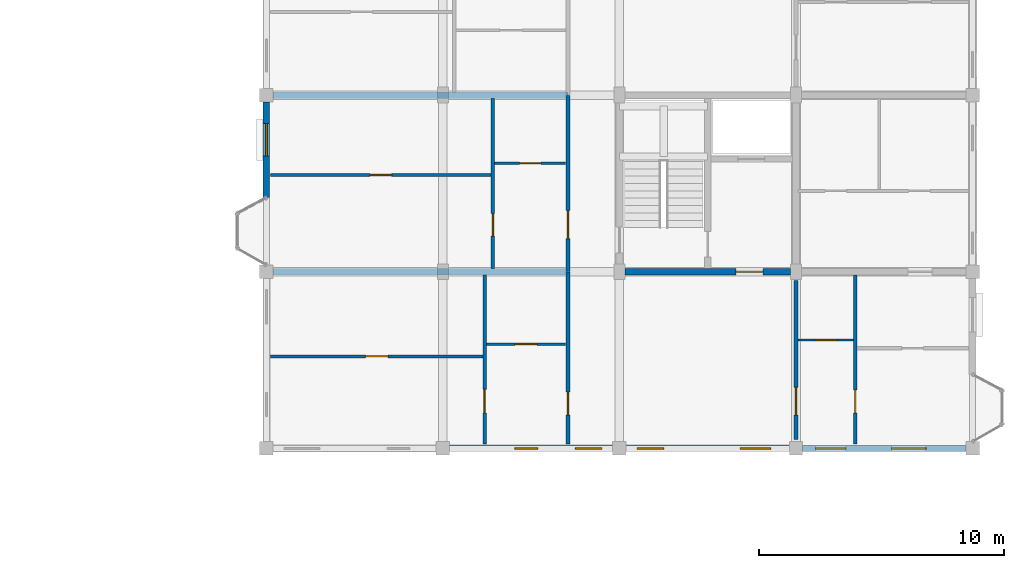
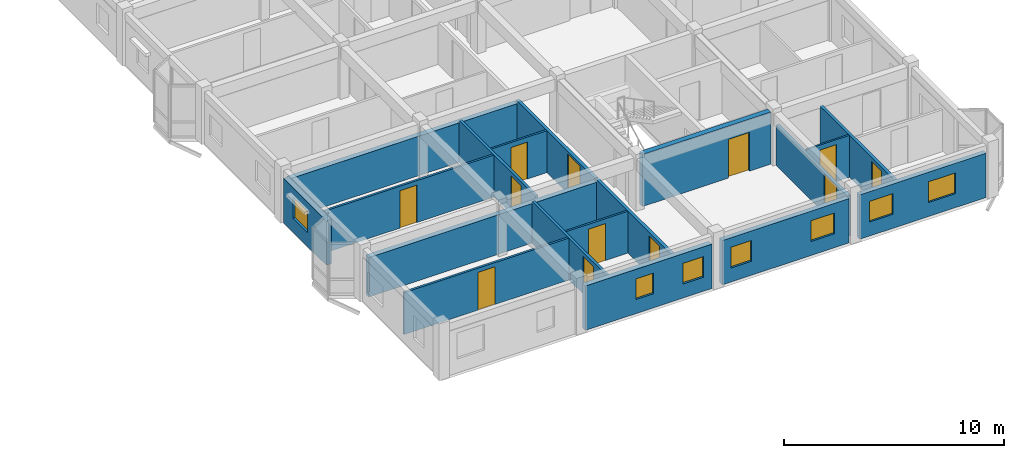
# One storey, part 60 of 77: 18 walls, 12 doors, 7 windows, 19 openings.
"""IFC4 building model written with IfcOpenShell, lengths in metres."""

from ifc_helpers import new_model, si_unit, direction, frame, frame_2d, origin, place, context, subcontext, project, spatial, rectangle, extrude, material, layer, layer_set, type_object, element, fill, save


model = new_model("IFC4")

# Units and contexts
model_context = context("Model", 3, precision=1e-05, world=origin(), true_north=direction((0.0, 1.0)))
body_context = subcontext(model_context, "Body", "Model", "MODEL_VIEW")
ifc_project = project(units=[si_unit("LENGTHUNIT", "METRE"), si_unit("AREAUNIT", "SQUARE_METRE"), si_unit("VOLUMEUNIT", "CUBIC_METRE"), si_unit("PLANEANGLEUNIT", "RADIAN"), si_unit("MASSUNIT", "GRAM", prefix="KILO"), si_unit("THERMODYNAMICTEMPERATUREUNIT", "KELVIN"), si_unit("POWERUNIT", "WATT")], contexts=[model_context])

# Site, building, storey
site_placement = place(None, origin())
site = spatial("IfcSite", under=ifc_project, at=site_placement, CompositionType="ELEMENT")
building_placement = place(site_placement, origin())
building = spatial("IfcBuilding", under=site, at=building_placement, Name="Tavuni Mirador Residences", CompositionType="ELEMENT")
storey_placement = place(building_placement, frame((0.0, 0.0, 10.800048828125)))
storey = spatial("IfcBuildingStorey", under=building, at=storey_placement, Name="L03", CompositionType="ELEMENT", Elevation=10.800048828125)

# Wall, opening, door
ifc_material_1 = material(Name="Precast concrete C40/50", Category="concrete")
ifc_layer_1 = layer(ifc_material_1, 0.280029296875, Name="Precast concrete C40/50", Category="concrete")
ifc_layer_set_1 = layer_set([ifc_layer_1], Name="Precast concrete C40/50")
wall_type_1 = type_object("IfcWallType", Name="WT-COR280", PredefinedType="SHEAR", material=ifc_layer_set_1)
wall_1_placement = place(storey_placement, frame((104.625, 93.60009765625, 0.0), z_axis=(0.0, 0.0, 1.0), x_axis=(1.0, 0.0, 0.0)))
wall_1 = element("IfcWall", 1, at=wall_1_placement, inside=storey, type_object=wall_type_1, Name="CWALL-C7-L03-SS", PredefinedType="SHEAR", context=body_context, shape_type="SweptSolid", body=[
    extrude(rectangle(XDim=6.75, YDim=0.280029296875, at=frame_2d((3.375, 0.0))), origin(), (0.0, 0.0, 1.0), 2.889892578125),
])
opening_1_placement = place(wall_1_placement, frame((4.52490234375, 0.0, 0.0)))
opening_1 = element("IfcOpeningElement", 2, at=opening_1_placement, cuts=wall_1, Name="Opening D-02", PredefinedType="OPENING", context=body_context, shape_type="SweptSolid", body=[
    extrude(rectangle(XDim=1.10009765625, YDim=2.14990234375, at=frame_2d((0.550048828125, 1.074951171875))), frame((0.0, 0.14990234375, 0.0), z_axis=(0.0, -1.0, 0.0), x_axis=(1.0, 0.0, 0.0)), (0.0, 0.0, 1.0), 0.300048828125),
])
ifc_material_2 = material(Name="Solid core iroko timber", Category="wood")
door_type_1 = type_object("IfcDoorType", Name="DT-LOB1100", OperationType="NOTDEFINED", PredefinedType="DOOR", material=ifc_material_2)
door_1_placement = place(opening_1_placement, frame((1.10009765625, 0.0, 0.0), z_axis=(0.0, 0.0, 1.0), x_axis=(-1.0, 0.0, 0.0)))
door_1 = element("IfcDoor", 3, at=door_1_placement, inside=storey, type_object=door_type_1, Name="DR-2278", OperationType="SINGLE_SWING_RIGHT", OverallHeight=2.14990234375, OverallWidth=1.10009765625, PredefinedType="DOOR", context=body_context, shape_type="SweptSolid", body=[
    extrude(rectangle(XDim=1.10009765625, YDim=2.14990234375, at=frame_2d((0.550048828125, 1.074951171875))), frame((0.0, 0.02490234375, 0.0), z_axis=(0.0, -1.0, 0.0), x_axis=(1.0, 0.0, 0.0)), (0.0, 0.0, 1.0), 0.050048828125),
])
fill(opening_1, door_1)

ifc_layer_2 = layer(ifc_material_1, 0.1650390625, Name="Precast concrete C40/50", Category="concrete")
ifc_layer_set_2 = layer_set([ifc_layer_2], Name="Precast concrete C40/50")
wall_type_2 = type_object("IfcWallType", Name="WT-CORR165", PredefinedType="PARTITIONING", material=ifc_layer_set_2)
wall_2_placement = place(storey_placement, frame((102.300048828125, 86.574951171875, 0.0), z_axis=(0.0, 0.0, 1.0), x_axis=(0.0, 1.0, 0.0)))
wall_2 = element("IfcWall", 4, at=wall_2_placement, inside=storey, type_object=wall_type_2, Name="CORW-BLK-D-L03-0-00", PredefinedType="PARTITIONING", context=body_context, shape_type="SweptSolid", body=[
    extrude(rectangle(XDim=7.005126953125, YDim=0.1650390625, at=frame_2d((3.50244140625, 0.0))), origin(), (0.0, 0.0, 1.0), 2.324951171875),
])
opening_2_placement = place(wall_2_placement, frame((1.175048828125, 0.0, 0.0)))
opening_2 = element("IfcOpeningElement", 5, at=opening_2_placement, cuts=wall_2, Name="Opening D-19", PredefinedType="OPENING", context=body_context, shape_type="SweptSolid", body=[
    extrude(rectangle(XDim=0.93994140625, YDim=2.1201171875, at=frame_2d((0.469970703125, 1.06005859375))), frame((0.0, 0.092529296875, 0.0), z_axis=(0.0, -1.0, 0.0), x_axis=(1.0, 0.0, 0.0)), (0.0, 0.0, 1.0), 0.18505859375),
])
door_type_2 = type_object("IfcDoorType", Name="DT-FD60-940", OperationType="NOTDEFINED", PredefinedType="DOOR", material=ifc_material_2)
door_2_placement = place(opening_2_placement, origin())
door_2 = element("IfcDoor", 6, at=door_2_placement, inside=storey, type_object=door_type_2, Name="DR-2845", OperationType="SINGLE_SWING_RIGHT", OverallHeight=2.1201171875, OverallWidth=0.93994140625, PredefinedType="DOOR", context=body_context, shape_type="SweptSolid", body=[
    extrude(rectangle(XDim=0.93994140625, YDim=2.1201171875, at=frame_2d((0.469970703125, 1.06005859375))), frame((0.0, 0.02490234375, 0.0), z_axis=(0.0, -1.0, 0.0), x_axis=(1.0, 0.0, 0.0)), (0.0, 0.0, 1.0), 0.050048828125),
])
fill(opening_2, door_2)

wall_3_placement = place(storey_placement, frame((102.300048828125, 93.6201171875, 0.0), z_axis=(0.0, 0.0, 1.0), x_axis=(0.0, 1.0, 0.0)))
wall_3 = element("IfcWall", 7, at=wall_3_placement, inside=storey, type_object=wall_type_2, Name="CORW-BLK-D-L03-0-01", PredefinedType="PARTITIONING", context=body_context, shape_type="SweptSolid", body=[
    extrude(rectangle(XDim=7.159912109375, YDim=0.1650390625, at=frame_2d((3.580078125, 0.0))), origin(), (0.0, 0.0, 1.0), 2.324951171875),
])
opening_3_placement = place(wall_3_placement, frame((1.330078125, 0.0, 0.0)))
opening_3 = element("IfcOpeningElement", 8, at=opening_3_placement, cuts=wall_3, Name="Opening D-20", PredefinedType="OPENING", context=body_context, shape_type="SweptSolid", body=[
    extrude(rectangle(XDim=1.139892578125, YDim=2.179931640625, at=frame_2d((0.56982421875, 1.08984375))), frame((0.0, 0.092529296875, 0.0), z_axis=(0.0, -1.0, 0.0), x_axis=(1.0, 0.0, 0.0)), (0.0, 0.0, 1.0), 0.18505859375),
])
door_type_3 = type_object("IfcDoorType", Name="DT-FD60-1140", OperationType="NOTDEFINED", PredefinedType="DOOR", material=ifc_material_2)
door_3_placement = place(opening_3_placement, origin())
door_3 = element("IfcDoor", 9, at=door_3_placement, inside=storey, type_object=door_type_3, Name="DR-2846", OperationType="SINGLE_SWING_LEFT", OverallHeight=2.179931640625, OverallWidth=1.139892578125, PredefinedType="DOOR", context=body_context, shape_type="SweptSolid", body=[
    extrude(rectangle(XDim=1.139892578125, YDim=2.179931640625, at=frame_2d((0.56982421875, 1.08984375))), frame((0.0, 0.02490234375, 0.0), z_axis=(0.0, -1.0, 0.0), x_axis=(1.0, 0.0, 0.0)), (0.0, 0.0, 1.0), 0.050048828125),
])
fill(opening_3, door_3)

wall_4_placement = place(storey_placement, frame((111.60009765625, 86.75, 0.0), z_axis=(0.0, 0.0, 1.0), x_axis=(0.0, 1.0, 0.0)))
wall_4 = element("IfcWall", 10, at=wall_4_placement, inside=storey, type_object=wall_type_2, Name="CORW-BLK-D-L03-1-00", PredefinedType="PARTITIONING", context=body_context, shape_type="SweptSolid", body=[
    extrude(rectangle(XDim=6.5, YDim=0.1650390625, at=frame_2d((3.25, 0.0))), origin(), (0.0, 0.0, 1.0), 2.239990234375),
])
opening_4_placement = place(wall_4_placement, frame((1.0, 0.0, 0.0)))
opening_4 = element("IfcOpeningElement", 11, at=opening_4_placement, cuts=wall_4, Name="Opening D-20", PredefinedType="OPENING", context=body_context, shape_type="SweptSolid", body=[
    extrude(rectangle(XDim=1.139892578125, YDim=2.179931640625, at=frame_2d((0.56982421875, 1.08984375))), frame((0.0, 0.092529296875, 0.0), z_axis=(0.0, -1.0, 0.0), x_axis=(1.0, 0.0, 0.0)), (0.0, 0.0, 1.0), 0.18505859375),
])
door_4_placement = place(opening_4_placement, origin())
door_4 = element("IfcDoor", 12, at=door_4_placement, inside=storey, type_object=door_type_3, Name="DR-2852", OperationType="SINGLE_SWING_LEFT", OverallHeight=2.179931640625, OverallWidth=1.139892578125, PredefinedType="DOOR", context=body_context, shape_type="SweptSolid", body=[
    extrude(rectangle(XDim=1.139892578125, YDim=2.179931640625, at=frame_2d((0.56982421875, 1.08984375))), frame((0.0, 0.02490234375, 0.0), z_axis=(0.0, -1.0, 0.0), x_axis=(1.0, 0.0, 0.0)), (0.0, 0.0, 1.0), 0.050048828125),
])
fill(opening_4, door_4)

# Wall, openings, windows
ifc_material_3 = material(Name="Sgraffito lime-rendered precast concrete C40/50", Category="concrete")
ifc_layer_3 = layer(ifc_material_3, 0.2451171875, Name="Sgraffito lime-rendered precast concrete C40/50", Category="concrete")
ifc_layer_set_3 = layer_set([ifc_layer_3], Name="Sgraffito lime-rendered precast concrete C40/50")
wall_type_3 = type_object("IfcWallType", Name="WT-EXT-PC245", PredefinedType="SOLIDWALL", material=ifc_layer_set_3)
wall_5_placement = place(storey_placement, frame((111.875, 86.39990234375, 0.0), z_axis=(0.0, 0.0, 1.0), x_axis=(1.0, 0.0, 0.0)))
wall_5 = element("IfcWall", 13, at=wall_5_placement, inside=storey, type_object=wall_type_3, Name="EW-BLK-D-L03-S03", PredefinedType="SOLIDWALL", context=body_context, shape_type="SweptSolid", body=[
    extrude(rectangle(XDim=6.64990234375, YDim=0.2451171875, at=frame_2d((3.324951171875, 0.0))), origin(), (0.0, 0.0, 1.0), 2.4599609375),
])
opening_5_placement = place(wall_5_placement, frame((0.5224609375, 0.0, 0.780029296875)))
opening_5 = element("IfcOpeningElement", 14, at=opening_5_placement, cuts=wall_5, Name="Opening WN-06", PredefinedType="OPENING", context=body_context, shape_type="SweptSolid", body=[
    extrude(rectangle(XDim=1.239990234375, YDim=1.14990234375, at=frame_2d((0.6201171875, 0.574951171875))), frame((0.0, 0.132568359375, 0.0), z_axis=(0.0, -1.0, 0.0), x_axis=(1.0, 0.0, 0.0)), (0.0, 0.0, 1.0), 0.26513671875),
])
opening_6_placement = place(wall_5_placement, frame((3.62744140625, 0.0, 0.780029296875)))
opening_6 = element("IfcOpeningElement", 15, at=opening_6_placement, cuts=wall_5, Name="Opening WN-08", PredefinedType="OPENING", context=body_context, shape_type="SweptSolid", body=[
    extrude(rectangle(XDim=1.39990234375, YDim=1.14990234375, at=frame_2d((0.699951171875, 0.574951171875))), frame((0.0, 0.132568359375, 0.0), z_axis=(0.0, -1.0, 0.0), x_axis=(1.0, 0.0, 0.0)), (0.0, 0.0, 1.0), 0.26513671875),
])
ifc_material_4 = material(Name="Laminated solar-control glass", Category="glass")
window_type_1 = type_object("IfcWindowType", Name="WNT-06", PartitioningType="SINGLE_PANEL", PredefinedType="WINDOW", material=ifc_material_4)
window_1_placement = place(opening_5_placement, origin())
window_1 = element("IfcWindow", 16, at=window_1_placement, inside=storey, type_object=window_type_1, Name="WIN-1532", OverallHeight=1.14990234375, OverallWidth=1.239990234375, PartitioningType="SINGLE_PANEL", PredefinedType="WINDOW", context=body_context, shape_type="SweptSolid", body=[
    extrude(rectangle(XDim=1.239990234375, YDim=1.14990234375, at=frame_2d((0.6201171875, 0.574951171875))), frame((0.0, 0.030029296875, 0.0), z_axis=(0.0, -1.0, 0.0), x_axis=(1.0, 0.0, 0.0)), (0.0, 0.0, 1.0), 0.06005859375),
])
fill(opening_5, window_1)
window_type_2 = type_object("IfcWindowType", Name="WNT-08", PartitioningType="SINGLE_PANEL", PredefinedType="WINDOW", material=ifc_material_4)
window_2_placement = place(opening_6_placement, origin())
window_2 = element("IfcWindow", 17, at=window_2_placement, inside=storey, type_object=window_type_2, Name="WIN-1533", OverallHeight=1.14990234375, OverallWidth=1.39990234375, PartitioningType="SINGLE_PANEL", PredefinedType="WINDOW", context=body_context, shape_type="SweptSolid", body=[
    extrude(rectangle(XDim=1.39990234375, YDim=1.14990234375, at=frame_2d((0.699951171875, 0.574951171875))), frame((0.0, 0.030029296875, 0.0), z_axis=(0.0, -1.0, 0.0), x_axis=(1.0, 0.0, 0.0)), (0.0, 0.0, 1.0), 0.06005859375),
])
fill(opening_6, window_2)

ifc_layer_4 = layer(ifc_material_3, 0.2548828125, Name="Sgraffito lime-rendered precast concrete C40/50", Category="concrete")
ifc_layer_set_4 = layer_set([ifc_layer_4], Name="Sgraffito lime-rendered precast concrete C40/50")
wall_type_4 = type_object("IfcWallType", Name="WT-EXT-PC255", PredefinedType="SOLIDWALL", material=ifc_layer_set_4)
wall_6_placement = place(storey_placement, frame((104.675048828125, 86.39990234375, 0.0), z_axis=(0.0, 0.0, 1.0), x_axis=(1.0, 0.0, 0.0)))
wall_6 = element("IfcWall", 18, at=wall_6_placement, inside=storey, type_object=wall_type_4, Name="EW-BLK-D-L03-S02", PredefinedType="SOLIDWALL", context=body_context, shape_type="SweptSolid", body=[
    extrude(rectangle(XDim=6.64990234375, YDim=0.2548828125, at=frame_2d((3.324951171875, 0.0))), origin(), (0.0, 0.0, 1.0), 2.4599609375),
])
opening_7_placement = place(wall_6_placement, frame((0.449951171875, 0.0, 0.780029296875)))
opening_7 = element("IfcOpeningElement", 19, at=opening_7_placement, cuts=wall_6, Name="Opening WN-04", PredefinedType="OPENING", context=body_context, shape_type="SweptSolid", body=[
    extrude(rectangle(XDim=1.080078125, YDim=1.14990234375, at=frame_2d((0.5400390625, 0.574951171875))), frame((0.0, 0.137451171875, 0.0), z_axis=(0.0, -1.0, 0.0), x_axis=(1.0, 0.0, 0.0)), (0.0, 0.0, 1.0), 0.27490234375),
])
opening_8_placement = place(wall_6_placement, frame((4.64990234375, 0.0, 0.780029296875)))
opening_8 = element("IfcOpeningElement", 20, at=opening_8_placement, cuts=wall_6, Name="Opening WN-06", PredefinedType="OPENING", context=body_context, shape_type="SweptSolid", body=[
    extrude(rectangle(XDim=1.239990234375, YDim=1.14990234375, at=frame_2d((0.6201171875, 0.574951171875))), frame((0.0, 0.137451171875, 0.0), z_axis=(0.0, -1.0, 0.0), x_axis=(1.0, 0.0, 0.0)), (0.0, 0.0, 1.0), 0.27490234375),
])
window_type_3 = type_object("IfcWindowType", Name="WNT-04", PartitioningType="SINGLE_PANEL", PredefinedType="WINDOW", material=ifc_material_4)
window_3_placement = place(opening_7_placement, origin())
window_3 = element("IfcWindow", 21, at=window_3_placement, inside=storey, type_object=window_type_3, Name="WIN-1530", OverallHeight=1.14990234375, OverallWidth=1.080078125, PartitioningType="SINGLE_PANEL", PredefinedType="WINDOW", context=body_context, shape_type="SweptSolid", body=[
    extrude(rectangle(XDim=1.080078125, YDim=1.14990234375, at=frame_2d((0.5400390625, 0.574951171875))), frame((0.0, 0.030029296875, 0.0), z_axis=(0.0, -1.0, 0.0), x_axis=(1.0, 0.0, 0.0)), (0.0, 0.0, 1.0), 0.06005859375),
])
fill(opening_7, window_3)
window_4_placement = place(opening_8_placement, origin())
window_4 = element("IfcWindow", 22, at=window_4_placement, inside=storey, type_object=window_type_1, Name="WIN-1531", OverallHeight=1.14990234375, OverallWidth=1.239990234375, PartitioningType="SINGLE_PANEL", PredefinedType="WINDOW", context=body_context, shape_type="SweptSolid", body=[
    extrude(rectangle(XDim=1.239990234375, YDim=1.14990234375, at=frame_2d((0.6201171875, 0.574951171875))), frame((0.0, 0.030029296875, 0.0), z_axis=(0.0, -1.0, 0.0), x_axis=(1.0, 0.0, 0.0)), (0.0, 0.0, 1.0), 0.06005859375),
])
fill(opening_8, window_4)

ifc_layer_5 = layer(ifc_material_3, 0.27490234375, Name="Sgraffito lime-rendered precast concrete C40/50", Category="concrete")
ifc_layer_set_5 = layer_set([ifc_layer_5], Name="Sgraffito lime-rendered precast concrete C40/50")
wall_type_5 = type_object("IfcWallType", Name="WT-EXT-PC275", PredefinedType="SOLIDWALL", material=ifc_layer_set_5)
wall_7_placement = place(storey_placement, frame((97.47509765625, 86.39990234375, 0.0), z_axis=(0.0, 0.0, 1.0), x_axis=(1.0, 0.0, 0.0)))
wall_7 = element("IfcWall", 23, at=wall_7_placement, inside=storey, type_object=wall_type_5, Name="EW-BLK-D-L03-S01", PredefinedType="SOLIDWALL", context=body_context, shape_type="SweptSolid", body=[
    extrude(rectangle(XDim=6.64990234375, YDim=0.27490234375, at=frame_2d((3.324951171875, 0.0))), origin(), (0.0, 0.0, 1.0), 2.4599609375),
])
opening_9_placement = place(wall_7_placement, frame((2.6650390625, 0.0, 0.780029296875)))
opening_9 = element("IfcOpeningElement", 24, at=opening_9_placement, cuts=wall_7, Name="Opening WN-02", PredefinedType="OPENING", context=body_context, shape_type="SweptSolid", body=[
    extrude(rectangle(XDim=0.919921875, YDim=1.14990234375, at=frame_2d((0.4599609375, 0.574951171875))), frame((0.0, 0.1474609375, 0.0), z_axis=(0.0, -1.0, 0.0), x_axis=(1.0, 0.0, 0.0)), (0.0, 0.0, 1.0), 0.294921875),
])
opening_10_placement = place(wall_7_placement, frame((5.12744140625, 0.0, 0.780029296875)))
opening_10 = element("IfcOpeningElement", 25, at=opening_10_placement, cuts=wall_7, Name="Opening WN-04", PredefinedType="OPENING", context=body_context, shape_type="SweptSolid", body=[
    extrude(rectangle(XDim=1.080078125, YDim=1.14990234375, at=frame_2d((0.5400390625, 0.574951171875))), frame((0.0, 0.1474609375, 0.0), z_axis=(0.0, -1.0, 0.0), x_axis=(1.0, 0.0, 0.0)), (0.0, 0.0, 1.0), 0.294921875),
])
window_type_4 = type_object("IfcWindowType", Name="WNT-02", PartitioningType="SINGLE_PANEL", PredefinedType="WINDOW", material=ifc_material_4)
window_5_placement = place(opening_9_placement, origin())
window_5 = element("IfcWindow", 26, at=window_5_placement, inside=storey, type_object=window_type_4, Name="WIN-1528", OverallHeight=1.14990234375, OverallWidth=0.919921875, PartitioningType="SINGLE_PANEL", PredefinedType="WINDOW", context=body_context, shape_type="SweptSolid", body=[
    extrude(rectangle(XDim=0.919921875, YDim=1.14990234375, at=frame_2d((0.4599609375, 0.574951171875))), frame((0.0, 0.030029296875, 0.0), z_axis=(0.0, -1.0, 0.0), x_axis=(1.0, 0.0, 0.0)), (0.0, 0.0, 1.0), 0.06005859375),
])
fill(opening_9, window_5)
window_6_placement = place(opening_10_placement, origin())
window_6 = element("IfcWindow", 27, at=window_6_placement, inside=storey, type_object=window_type_3, Name="WIN-1529", OverallHeight=1.14990234375, OverallWidth=1.080078125, PartitioningType="SINGLE_PANEL", PredefinedType="WINDOW", context=body_context, shape_type="SweptSolid", body=[
    extrude(rectangle(XDim=1.080078125, YDim=1.14990234375, at=frame_2d((0.5400390625, 0.574951171875))), frame((0.0, 0.030029296875, 0.0), z_axis=(0.0, -1.0, 0.0), x_axis=(1.0, 0.0, 0.0)), (0.0, 0.0, 1.0), 0.06005859375),
])
fill(opening_10, window_6)

# Wall, opening, window
wall_8_placement = place(storey_placement, frame((90.0, 100.52490234375, 0.0), z_axis=(0.0, 0.0, 1.0), x_axis=(0.0, -1.0, 0.0)))
wall_8 = element("IfcWall", 28, at=wall_8_placement, inside=storey, type_object=wall_type_5, Name="EW-BLK-D-L03-W01", PredefinedType="SOLIDWALL", context=body_context, shape_type="SweptSolid", body=[
    extrude(rectangle(XDim=3.90478515625, YDim=0.27490234375, at=frame_2d((1.952392578125, 0.0))), origin(), (0.0, 0.0, 1.0), 2.4599609375),
])
opening_11_placement = place(wall_8_placement, frame((0.882568359375, 0.0, 0.780029296875)))
opening_11 = element("IfcOpeningElement", 29, at=opening_11_placement, cuts=wall_8, Name="Opening WN-07", PredefinedType="OPENING", context=body_context, shape_type="SweptSolid", body=[
    extrude(rectangle(XDim=1.320068359375, YDim=1.14990234375, at=frame_2d((0.66015625, 0.574951171875))), frame((0.0, 0.1474609375, 0.0), z_axis=(0.0, -1.0, 0.0), x_axis=(1.0, 0.0, 0.0)), (0.0, 0.0, 1.0), 0.294921875),
])
window_type_5 = type_object("IfcWindowType", Name="WNT-07", PartitioningType="SINGLE_PANEL", PredefinedType="WINDOW", material=ifc_material_4)
window_7_placement = place(opening_11_placement, origin())
window_7 = element("IfcWindow", 30, at=window_7_placement, inside=storey, type_object=window_type_5, Name="WIN-1563", OverallHeight=1.14990234375, OverallWidth=1.320068359375, PartitioningType="SINGLE_PANEL", PredefinedType="WINDOW", context=body_context, shape_type="SweptSolid", body=[
    extrude(rectangle(XDim=1.320068359375, YDim=1.14990234375, at=frame_2d((0.66015625, 0.574951171875))), frame((0.0, 0.030029296875, 0.0), z_axis=(0.0, -1.0, 0.0), x_axis=(1.0, 0.0, 0.0)), (0.0, 0.0, 1.0), 0.06005859375),
])
fill(opening_11, window_7)

# Wall, opening, door
ifc_material_5 = material(Name="Acoustic gypsum and concrete block partition", Category="concrete")
ifc_layer_6 = layer(ifc_material_5, 0.094970703125, Name="Acoustic gypsum and concrete block partition", Category="concrete")
ifc_layer_set_6 = layer_set([ifc_layer_6], Name="Acoustic gypsum and concrete block partition")
wall_type_6 = type_object("IfcWallType", Name="WT-PART095", PredefinedType="PARTITIONING", material=ifc_layer_set_6)
wall_9_placement = place(storey_placement, frame((111.68994140625, 90.820068359375, 0.0), z_axis=(0.0, 0.0, 1.0), x_axis=(1.0, 0.0, 0.0)))
wall_9 = element("IfcWall", 31, at=wall_9_placement, inside=storey, type_object=wall_type_6, Name="PW-BLK-D-L03-E00-IN1", PredefinedType="PARTITIONING", context=body_context, shape_type="SweptSolid", body=[
    extrude(rectangle(XDim=2.260009765625, YDim=0.094970703125, at=frame_2d((1.1298828125, 0.0))), origin(), (0.0, 0.0, 1.0), 2.324951171875),
])
opening_12_placement = place(wall_9_placement, frame((0.695068359375, 0.0, 0.0)))
opening_12 = element("IfcOpeningElement", 32, at=opening_12_placement, cuts=wall_9, Name="Opening D-10", PredefinedType="OPENING", context=body_context, shape_type="SweptSolid", body=[
    extrude(rectangle(XDim=0.8701171875, YDim=2.050048828125, at=frame_2d((0.43505859375, 1.02490234375))), frame((0.0, 0.0576171875, 0.0), z_axis=(0.0, -1.0, 0.0), x_axis=(1.0, 0.0, 0.0)), (0.0, 0.0, 1.0), 0.114990234375),
])
door_type_4 = type_object("IfcDoorType", Name="DT-WC870", OperationType="NOTDEFINED", PredefinedType="DOOR", material=ifc_material_2)
door_5_placement = place(opening_12_placement, origin())
door_5 = element("IfcDoor", 33, at=door_5_placement, inside=storey, type_object=door_type_4, Name="DR-4396", OperationType="SINGLE_SWING_LEFT", OverallHeight=2.050048828125, OverallWidth=0.8701171875, PredefinedType="DOOR", context=body_context, shape_type="SweptSolid", body=[
    extrude(rectangle(XDim=0.8701171875, YDim=2.050048828125, at=frame_2d((0.43505859375, 1.02490234375))), frame((0.0, 0.02490234375, 0.0), z_axis=(0.0, -1.0, 0.0), x_axis=(1.0, 0.0, 0.0)), (0.0, 0.0, 1.0), 0.050048828125),
])
fill(opening_12, door_5)

ifc_layer_7 = layer(ifc_material_5, 0.10498046875, Name="Acoustic gypsum and concrete block partition", Category="concrete")
ifc_layer_set_7 = layer_set([ifc_layer_7], Name="Acoustic gypsum and concrete block partition")
wall_type_7 = type_object("IfcWallType", Name="WT-PART105", PredefinedType="PARTITIONING", material=ifc_layer_set_7)
wall_10_placement = place(storey_placement, frame((98.969970703125, 90.64990234375, 0.0), z_axis=(0.0, 0.0, 1.0), x_axis=(1.0, 0.0, 0.0)))
wall_10 = element("IfcWall", 34, at=wall_10_placement, inside=storey, type_object=wall_type_7, Name="PW-BLK-D-L03-W00-IN1", PredefinedType="PARTITIONING", context=body_context, shape_type="SweptSolid", body=[
    extrude(rectangle(XDim=3.239990234375, YDim=0.10498046875, at=frame_2d((1.6201171875, 0.0))), origin(), (0.0, 0.0, 1.0), 2.324951171875),
])
opening_13_placement = place(wall_10_placement, frame((1.169921875, 0.0, 0.0)))
opening_13 = element("IfcOpeningElement", 35, at=opening_13_placement, cuts=wall_10, Name="Opening D-09", PredefinedType="OPENING", context=body_context, shape_type="SweptSolid", body=[
    extrude(rectangle(XDim=0.89990234375, YDim=2.050048828125, at=frame_2d((0.449951171875, 1.02490234375))), frame((0.0, 0.0625, 0.0), z_axis=(0.0, -1.0, 0.0), x_axis=(1.0, 0.0, 0.0)), (0.0, 0.0, 1.0), 0.125),
])
door_type_5 = type_object("IfcDoorType", Name="DT-WC900", OperationType="NOTDEFINED", PredefinedType="DOOR", material=ifc_material_2)
door_6_placement = place(opening_13_placement, origin())
door_6 = element("IfcDoor", 36, at=door_6_placement, inside=storey, type_object=door_type_5, Name="DR-4393", OperationType="SINGLE_SWING_RIGHT", OverallHeight=2.050048828125, OverallWidth=0.89990234375, PredefinedType="DOOR", context=body_context, shape_type="SweptSolid", body=[
    extrude(rectangle(XDim=0.89990234375, YDim=2.050048828125, at=frame_2d((0.449951171875, 1.02490234375))), frame((0.0, 0.02490234375, 0.0), z_axis=(0.0, -1.0, 0.0), x_axis=(1.0, 0.0, 0.0)), (0.0, 0.0, 1.0), 0.050048828125),
])
fill(opening_13, door_6)

wall_11_placement = place(storey_placement, frame((99.31005859375, 98.02001953125, 0.0), z_axis=(0.0, 0.0, 1.0), x_axis=(1.0, 0.0, 0.0)))
wall_11 = element("IfcWall", 37, at=wall_11_placement, inside=storey, type_object=wall_type_7, Name="PW-BLK-D-L03-W01-IN1", PredefinedType="PARTITIONING", context=body_context, shape_type="SweptSolid", body=[
    extrude(rectangle(XDim=2.89990234375, YDim=0.10498046875, at=frame_2d((1.449951171875, 0.0))), origin(), (0.0, 0.0, 1.0), 2.324951171875),
])
opening_14_placement = place(wall_11_placement, frame((1.014892578125, 0.0, 0.0)))
opening_14 = element("IfcOpeningElement", 38, at=opening_14_placement, cuts=wall_11, Name="Opening D-10", PredefinedType="OPENING", context=body_context, shape_type="SweptSolid", body=[
    extrude(rectangle(XDim=0.8701171875, YDim=2.050048828125, at=frame_2d((0.43505859375, 1.02490234375))), frame((0.0, 0.0625, 0.0), z_axis=(0.0, -1.0, 0.0), x_axis=(1.0, 0.0, 0.0)), (0.0, 0.0, 1.0), 0.125),
])
door_7_placement = place(opening_14_placement, origin())
door_7 = element("IfcDoor", 39, at=door_7_placement, inside=storey, type_object=door_type_4, Name="DR-4399", OperationType="SINGLE_SWING_LEFT", OverallHeight=2.050048828125, OverallWidth=0.8701171875, PredefinedType="DOOR", context=body_context, shape_type="SweptSolid", body=[
    extrude(rectangle(XDim=0.8701171875, YDim=2.050048828125, at=frame_2d((0.43505859375, 1.02490234375))), frame((0.0, 0.02490234375, 0.0), z_axis=(0.0, -1.0, 0.0), x_axis=(1.0, 0.0, 0.0)), (0.0, 0.0, 1.0), 0.050048828125),
])
fill(opening_14, door_7)

ifc_layer_8 = layer(ifc_material_5, 0.114990234375, Name="Acoustic gypsum and concrete block partition", Category="concrete")
ifc_layer_set_8 = layer_set([ifc_layer_8], Name="Acoustic gypsum and concrete block partition")
wall_type_8 = type_object("IfcWallType", Name="WT-PART115", PredefinedType="PARTITIONING", material=ifc_layer_set_8)
wall_12_placement = place(storey_placement, frame((90.175048828125, 90.14990234375, 0.0), z_axis=(0.0, 0.0, 1.0), x_axis=(1.0, 0.0, 0.0)))
wall_12 = element("IfcWall", 40, at=wall_12_placement, inside=storey, type_object=wall_type_8, Name="PW-BLK-D-L03-W00-OUT", PredefinedType="PARTITIONING", context=body_context, shape_type="SweptSolid", body=[
    extrude(rectangle(XDim=8.655029296875, YDim=0.114990234375, at=frame_2d((4.32763671875, 0.0))), origin(), (0.0, 0.0, 1.0), 2.324951171875),
])
opening_15_placement = place(wall_12_placement, frame((3.87744140625, 0.0, 0.0)))
opening_15 = element("IfcOpeningElement", 41, at=opening_15_placement, cuts=wall_12, Name="Opening D-07", PredefinedType="OPENING", context=body_context, shape_type="SweptSolid", body=[
    extrude(rectangle(XDim=0.89990234375, YDim=2.10009765625, at=frame_2d((0.449951171875, 1.050048828125))), frame((0.0, 0.0673828125, 0.0), z_axis=(0.0, -1.0, 0.0), x_axis=(1.0, 0.0, 0.0)), (0.0, 0.0, 1.0), 0.135009765625),
])
door_type_6 = type_object("IfcDoorType", Name="DT-BED900", OperationType="NOTDEFINED", PredefinedType="DOOR", material=ifc_material_2)
door_8_placement = place(opening_15_placement, origin())
door_8 = element("IfcDoor", 42, at=door_8_placement, inside=storey, type_object=door_type_6, Name="DR-4392", OperationType="SINGLE_SWING_LEFT", OverallHeight=2.10009765625, OverallWidth=0.89990234375, PredefinedType="DOOR", context=body_context, shape_type="SweptSolid", body=[
    extrude(rectangle(XDim=0.89990234375, YDim=2.10009765625, at=frame_2d((0.449951171875, 1.050048828125))), frame((0.0, 0.02490234375, 0.0), z_axis=(0.0, -1.0, 0.0), x_axis=(1.0, 0.0, 0.0)), (0.0, 0.0, 1.0), 0.050048828125),
])
fill(opening_15, door_8)

wall_13_placement = place(storey_placement, frame((90.175048828125, 97.550048828125, 0.0), z_axis=(0.0, 0.0, 1.0), x_axis=(1.0, 0.0, 0.0)))
wall_13 = element("IfcWall", 43, at=wall_13_placement, inside=storey, type_object=wall_type_8, Name="PW-BLK-D-L03-W01-OUT", PredefinedType="PARTITIONING", context=body_context, shape_type="SweptSolid", body=[
    extrude(rectangle(XDim=8.994873046875, YDim=0.114990234375, at=frame_2d((4.49755859375, 0.0))), origin(), (0.0, 0.0, 1.0), 2.324951171875),
])
opening_16_placement = place(wall_13_placement, frame((4.0576171875, 0.0, 0.0)))
opening_16 = element("IfcOpeningElement", 44, at=opening_16_placement, cuts=wall_13, Name="Opening D-08", PredefinedType="OPENING", context=body_context, shape_type="SweptSolid", body=[
    extrude(rectangle(XDim=0.8798828125, YDim=2.080078125, at=frame_2d((0.43994140625, 1.0400390625))), frame((0.0, 0.0673828125, 0.0), z_axis=(0.0, -1.0, 0.0), x_axis=(1.0, 0.0, 0.0)), (0.0, 0.0, 1.0), 0.135009765625),
])
door_type_7 = type_object("IfcDoorType", Name="DT-BED880", OperationType="NOTDEFINED", PredefinedType="DOOR", material=ifc_material_2)
door_9_placement = place(opening_16_placement, origin())
door_9 = element("IfcDoor", 45, at=door_9_placement, inside=storey, type_object=door_type_7, Name="DR-4398", OperationType="SINGLE_SWING_RIGHT", OverallHeight=2.080078125, OverallWidth=0.8798828125, PredefinedType="DOOR", context=body_context, shape_type="SweptSolid", body=[
    extrude(rectangle(XDim=0.8798828125, YDim=2.080078125, at=frame_2d((0.43994140625, 1.0400390625))), frame((0.0, 0.02490234375, 0.0), z_axis=(0.0, -1.0, 0.0), x_axis=(1.0, 0.0, 0.0)), (0.0, 0.0, 1.0), 0.050048828125),
])
fill(opening_16, door_9)

ifc_layer_9 = layer(ifc_material_5, 0.139892578125, Name="Acoustic gypsum and concrete block partition", Category="concrete")
ifc_layer_set_9 = layer_set([ifc_layer_9], Name="Acoustic gypsum and concrete block partition")
wall_type_9 = type_object("IfcWallType", Name="WT-PART140", PredefinedType="PARTITIONING", material=ifc_layer_set_9)
wall_14_placement = place(storey_placement, frame((98.89990234375, 86.574951171875, 0.0), z_axis=(0.0, 0.0, 1.0), x_axis=(0.0, 1.0, 0.0)))
wall_14 = element("IfcWall", 46, at=wall_14_placement, inside=storey, type_object=wall_type_9, Name="PW-BLK-D-L03-W00-MID", PredefinedType="PARTITIONING", context=body_context, shape_type="SweptSolid", body=[
    extrude(rectangle(XDim=6.885009765625, YDim=0.139892578125, at=frame_2d((3.4423828125, 0.0))), origin(), (0.0, 0.0, 1.0), 2.324951171875),
])
opening_17_placement = place(wall_14_placement, frame((1.27490234375, 0.0, 0.0)))
opening_17 = element("IfcOpeningElement", 47, at=opening_17_placement, cuts=wall_14, Name="Opening D-05", PredefinedType="OPENING", context=body_context, shape_type="SweptSolid", body=[
    extrude(rectangle(XDim=0.949951171875, YDim=2.10009765625, at=frame_2d((0.47509765625, 1.050048828125))), frame((0.0, 0.080078125, 0.0), z_axis=(0.0, -1.0, 0.0), x_axis=(1.0, 0.0, 0.0)), (0.0, 0.0, 1.0), 0.159912109375),
])
door_type_8 = type_object("IfcDoorType", Name="DT-INT950", OperationType="NOTDEFINED", PredefinedType="DOOR", material=ifc_material_2)
door_10_placement = place(opening_17_placement, origin())
door_10 = element("IfcDoor", 48, at=door_10_placement, inside=storey, type_object=door_type_8, Name="DR-4394", OperationType="SINGLE_SWING_LEFT", OverallHeight=2.10009765625, OverallWidth=0.949951171875, PredefinedType="DOOR", context=body_context, shape_type="SweptSolid", body=[
    extrude(rectangle(XDim=0.949951171875, YDim=2.10009765625, at=frame_2d((0.47509765625, 1.050048828125))), frame((0.0, 0.02490234375, 0.0), z_axis=(0.0, -1.0, 0.0), x_axis=(1.0, 0.0, 0.0)), (0.0, 0.0, 1.0), 0.050048828125),
])
fill(opening_17, door_10)

wall_15_placement = place(storey_placement, frame((99.239990234375, 93.739990234375, 0.0), z_axis=(0.0, 0.0, 1.0), x_axis=(0.0, 1.0, 0.0)))
wall_15 = element("IfcWall", 49, at=wall_15_placement, inside=storey, type_object=wall_type_9, Name="PW-BLK-D-L03-W01-MID", PredefinedType="PARTITIONING", context=body_context, shape_type="SweptSolid", body=[
    extrude(rectangle(XDim=6.919921875, YDim=0.139892578125, at=frame_2d((3.4599609375, 0.0))), origin(), (0.0, 0.0, 1.0), 2.324951171875),
])
opening_18_placement = place(wall_15_placement, frame((1.31005859375, 0.0, 0.0)))
opening_18 = element("IfcOpeningElement", 50, at=opening_18_placement, cuts=wall_15, Name="Opening D-06", PredefinedType="OPENING", context=body_context, shape_type="SweptSolid", body=[
    extrude(rectangle(XDim=0.919921875, YDim=2.10009765625, at=frame_2d((0.4599609375, 1.050048828125))), frame((0.0, 0.080078125, 0.0), z_axis=(0.0, -1.0, 0.0), x_axis=(1.0, 0.0, 0.0)), (0.0, 0.0, 1.0), 0.159912109375),
])
door_type_9 = type_object("IfcDoorType", Name="DT-INT920", OperationType="NOTDEFINED", PredefinedType="DOOR", material=ifc_material_2)
door_11_placement = place(opening_18_placement, origin())
door_11 = element("IfcDoor", 51, at=door_11_placement, inside=storey, type_object=door_type_9, Name="DR-4400", OperationType="SINGLE_SWING_RIGHT", OverallHeight=2.10009765625, OverallWidth=0.919921875, PredefinedType="DOOR", context=body_context, shape_type="SweptSolid", body=[
    extrude(rectangle(XDim=0.919921875, YDim=2.10009765625, at=frame_2d((0.4599609375, 1.050048828125))), frame((0.0, 0.02490234375, 0.0), z_axis=(0.0, -1.0, 0.0), x_axis=(1.0, 0.0, 0.0)), (0.0, 0.0, 1.0), 0.050048828125),
])
fill(opening_18, door_11)

ifc_layer_10 = layer(ifc_material_5, 0.14990234375, Name="Acoustic gypsum and concrete block partition", Category="concrete")
ifc_layer_set_10 = layer_set([ifc_layer_10], Name="Acoustic gypsum and concrete block partition")
wall_type_10 = type_object("IfcWallType", Name="WT-PART150", PredefinedType="PARTITIONING", material=ifc_layer_set_10)
wall_16_placement = place(storey_placement, frame((114.02001953125, 86.574951171875, 0.0), z_axis=(0.0, 0.0, 1.0), x_axis=(0.0, 1.0, 0.0)))
wall_16 = element("IfcWall", 52, at=wall_16_placement, inside=storey, type_object=wall_type_10, Name="PW-BLK-D-L03-E00-MID", PredefinedType="PARTITIONING", context=body_context, shape_type="SweptSolid", body=[
    extrude(rectangle(XDim=6.885009765625, YDim=0.14990234375, at=frame_2d((3.4423828125, 0.0))), origin(), (0.0, 0.0, 1.0), 2.324951171875),
])
opening_19_placement = place(wall_16_placement, frame((1.27490234375, 0.0, 0.0)))
opening_19 = element("IfcOpeningElement", 53, at=opening_19_placement, cuts=wall_16, Name="Opening D-06", PredefinedType="OPENING", context=body_context, shape_type="SweptSolid", body=[
    extrude(rectangle(XDim=0.919921875, YDim=2.10009765625, at=frame_2d((0.4599609375, 1.050048828125))), frame((0.0, 0.0849609375, 0.0), z_axis=(0.0, -1.0, 0.0), x_axis=(1.0, 0.0, 0.0)), (0.0, 0.0, 1.0), 0.169921875),
])
door_12_placement = place(opening_19_placement, origin())
door_12 = element("IfcDoor", 54, at=door_12_placement, inside=storey, type_object=door_type_9, Name="DR-4397", OperationType="SINGLE_SWING_RIGHT", OverallHeight=2.10009765625, OverallWidth=0.919921875, PredefinedType="DOOR", context=body_context, shape_type="SweptSolid", body=[
    extrude(rectangle(XDim=0.919921875, YDim=2.10009765625, at=frame_2d((0.4599609375, 1.050048828125))), frame((0.0, 0.02490234375, 0.0), z_axis=(0.0, -1.0, 0.0), x_axis=(1.0, 0.0, 0.0)), (0.0, 0.0, 1.0), 0.050048828125),
])
fill(opening_19, door_12)

# Walls
ifc_layer_11 = layer(ifc_material_1, 0.264892578125, Name="Precast concrete C40/50", Category="concrete")
ifc_layer_set_11 = layer_set([ifc_layer_11], Name="Precast concrete C40/50")
wall_type_11 = type_object("IfcWallType", Name="WT-XW265", PredefinedType="SOLIDWALL", material=ifc_layer_set_11)
for number, where, z_axis, x_axis, name in (
    (55, (90.27490234375, 93.60009765625, 0.0), (0.0, 0.0, 1.0), (1.0, 0.0, 0.0), "XW-BLK-D-L03-W-01"),
    (56, (90.27490234375, 100.800048828125, 0.0), (0.0, 0.0, 1.0), (1.0, 0.0, 0.0), "XW-BLK-D-L03-W-02"),
):
    element("IfcWall", number, at=place(storey_placement, frame(where, z_axis=z_axis, x_axis=x_axis)), inside=storey, type_object=wall_type_11, Name=name, PredefinedType="SOLIDWALL", context=body_context, shape_type="SweptSolid", body=[
        extrude(rectangle(XDim=12.025146484375, YDim=0.264892578125, at=frame_2d((6.0126953125, 0.0))), origin(), (0.0, 0.0, 1.0), 2.18994140625),
    ])

save(model, "model.ifc")
